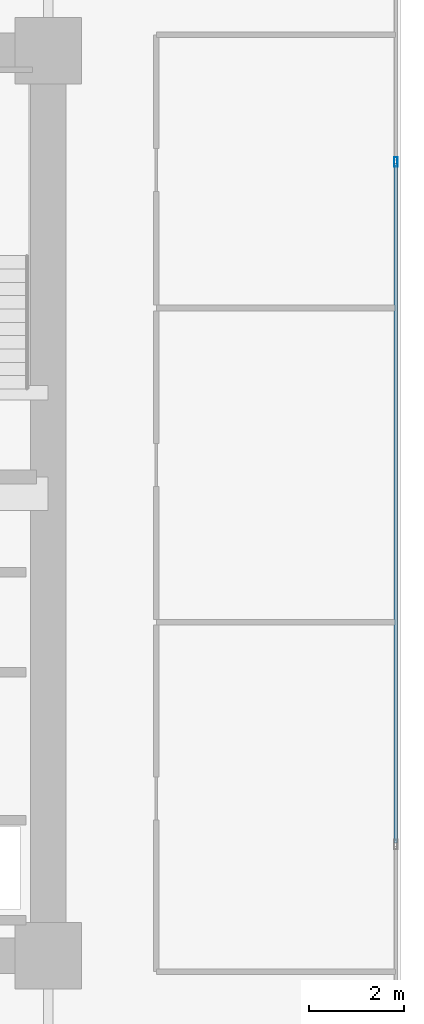
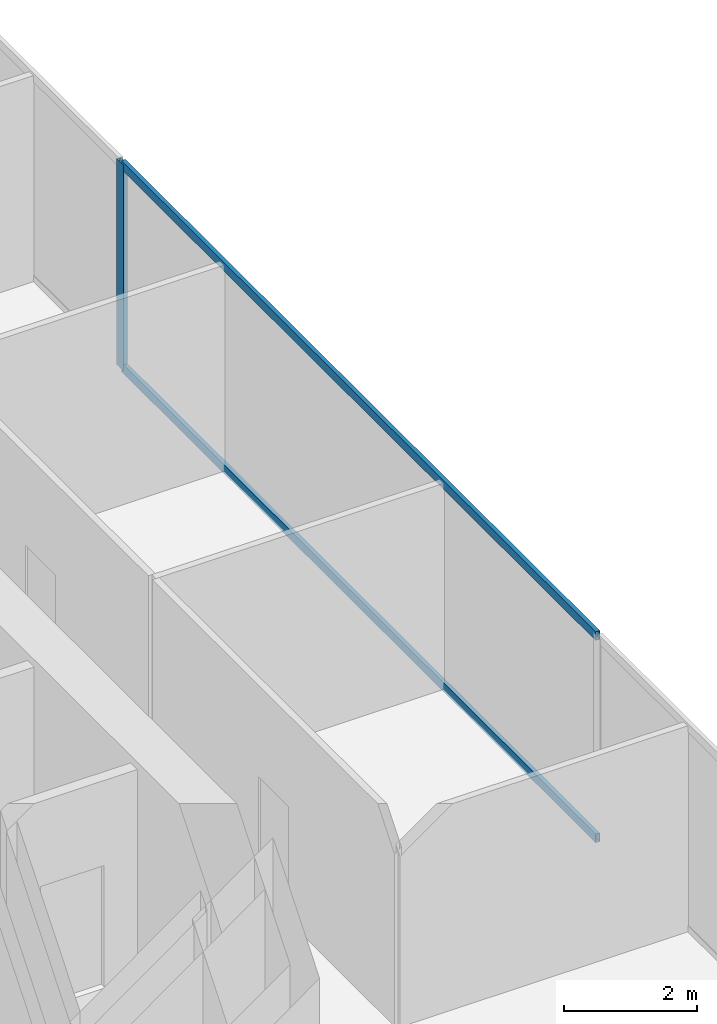
# One storey, part 25 of 35: 3 members, 1 element without a shape of its own.
"""IFC4 building model written with IfcOpenShell, lengths in metres."""

from ifc_helpers import new_model, si_unit, direction, frame, origin, origin_2d, place, context, subcontext, project, spatial, hollow_rectangle, extrude, source, transform, mapped, material, layer, layer_set, material_profile, profile_set, type_object, type_shapes, element, aggregate, save


model = new_model("IFC4")

# Units and contexts
model_context = context("Model", 3, precision=1e-05, world=origin(), true_north=direction((0.0, 1.0)))
body_context = subcontext(model_context, "Body", "Model", "MODEL_VIEW")
ifc_project = project(units=[si_unit("LENGTHUNIT", "METRE"), si_unit("AREAUNIT", "SQUARE_METRE"), si_unit("VOLUMEUNIT", "CUBIC_METRE"), si_unit("PLANEANGLEUNIT", "RADIAN"), si_unit("MASSUNIT", "GRAM", prefix="KILO")], contexts=[model_context])

# Site, building, storey
site_placement = place(None, origin())
site = spatial("IfcSite", under=ifc_project, at=site_placement, CompositionType="ELEMENT")
building_placement = place(site_placement, origin())
building = spatial("IfcBuilding", under=site, at=building_placement, Name="Haelvirn Gate Laboratories", CompositionType="ELEMENT")
storey_placement = place(building_placement, frame((0.0, 0.0, 66.199951171875)))
storey = spatial("IfcBuildingStorey", under=building, at=storey_placement, Name="L16", CompositionType="ELEMENT", Elevation=66.199951171875)

# Curtain wall, members
ifc_material_1 = material(Name="Anodised bronze unitised aluminium & triple low-E glass", Category="aluminium")
ifc_layer = layer(ifc_material_1, 0.18408203125, Name="CW-SYS-2")
ifc_layer_set = layer_set([ifc_layer], Name="Anodised bronze unitised aluminium & triple low-E glass")
curtain_wall_type = type_object("IfcCurtainWallType", Name="CW-SYS-2", PredefinedType="NOTDEFINED", material=ifc_layer_set)
curtain_wall_placement = place(storey_placement, origin())
curtain_wall = element("IfcCurtainWall", 1, at=curtain_wall_placement, inside=storey, type_object=curtain_wall_type, Name="L16 Unitised Curtain Wall CW-L16-P0-E07", PredefinedType="NOTDEFINED")
ifc_material_2 = material(Name="Extruded aluminium 6063-T6 (anodised bronze)", Category="aluminium")
ifc_material_profile_1 = material_profile(ifc_material_2, hollow_rectangle(XDim=0.074951171875, YDim=0.199951171875, WallThickness=0.0048828125, at=origin_2d()), Name="CWM-200x75x5")
ifc_profile_set_1 = profile_set([ifc_material_profile_1], Name="Extruded aluminium 6063-T6 (anodised bronze)")
member_type_1 = type_object("IfcMemberType", Name="CWM-T200", PredefinedType="MULLION", material=ifc_profile_set_1)
shared_shape_1 = source(origin(), body_context, "Body", "SweptSolid", [
    extrude(hollow_rectangle(XDim=0.074951171875, YDim=0.199951171875, WallThickness=0.0048828125, at=origin_2d()), origin(), (0.0, 0.0, 1.0), 3.780029296875),
])
type_shapes(member_type_1, [shared_shape_1])
member_1_placement = place(storey_placement, frame((74.699951171875, 31.466552734375, 0.0), z_axis=(0.0, 0.0, 1.0), x_axis=(-1.0, 0.0, 0.0)))
member_1 = element("IfcMember", 2, at=member_1_placement, type_object=member_type_1, Name="CW2 mullion 3", PredefinedType="MULLION", context=body_context, shape_type="MappedRepresentation", body=[
    mapped(shared_shape_1, transform((0.0, 0.0, 0.0), scale=1.0)),
])
ifc_material_profile_2 = material_profile(ifc_material_2, hollow_rectangle(XDim=0.070068359375, YDim=0.159912109375, WallThickness=0.0048828125, at=origin_2d()), Name="CWT-160x70x5")
ifc_profile_set_2 = profile_set([ifc_material_profile_2], Name="Extruded aluminium 6063-T6 (anodised bronze)")
member_type_2 = type_object("IfcMemberType", Name="CWT-T160", PredefinedType="USERDEFINED", material=ifc_profile_set_2)
shared_shape_2 = source(origin(), body_context, "Body", "SweptSolid", [
    extrude(hollow_rectangle(XDim=0.070068359375, YDim=0.159912109375, WallThickness=0.0048828125, at=origin_2d()), origin(), (0.0, 0.0, 1.0), 14.25830078125),
])
type_shapes(member_type_2, [shared_shape_2])
member_2_placement = place(storey_placement, frame((74.699951171875, 17.1708984375, 0.03515625), z_axis=(0.0, 1.0, 0.0), x_axis=(-1.0, 0.0, 0.0)))
member_2 = element("IfcMember", 3, at=member_2_placement, type_object=member_type_2, Name="CW2 transom 2.1", ObjectType="TRANSOM", PredefinedType="USERDEFINED", context=body_context, shape_type="MappedRepresentation", body=[
    mapped(shared_shape_2, transform((0.0, 0.0, 0.0), scale=1.0)),
])
member_3_placement = place(storey_placement, frame((74.699951171875, 17.1708984375, 3.7451171875), z_axis=(0.0, 1.0, 0.0), x_axis=(-1.0, 0.0, 0.0)))
member_3 = element("IfcMember", 4, at=member_3_placement, type_object=member_type_2, Name="CW2 transom 2.2", ObjectType="TRANSOM", PredefinedType="USERDEFINED", context=body_context, shape_type="MappedRepresentation", body=[
    mapped(shared_shape_2, transform((0.0, 0.0, 0.0), scale=1.0)),
])
aggregate(curtain_wall, [member_1, member_2, member_3])

save(model, "model.ifc")
